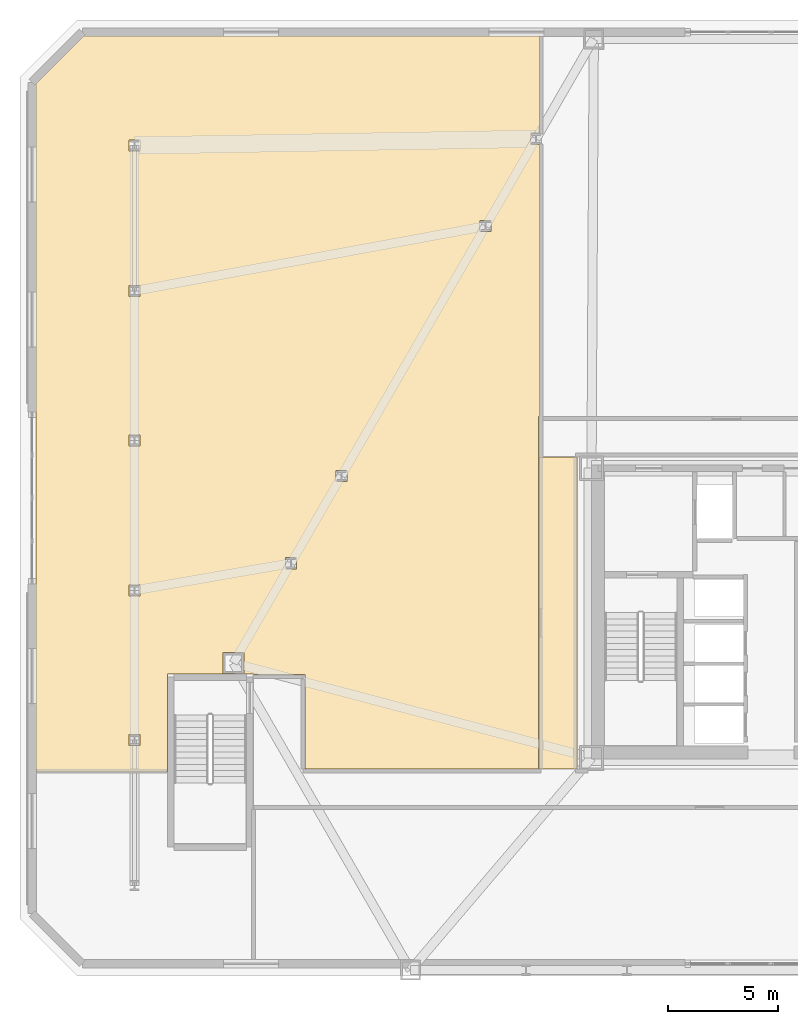
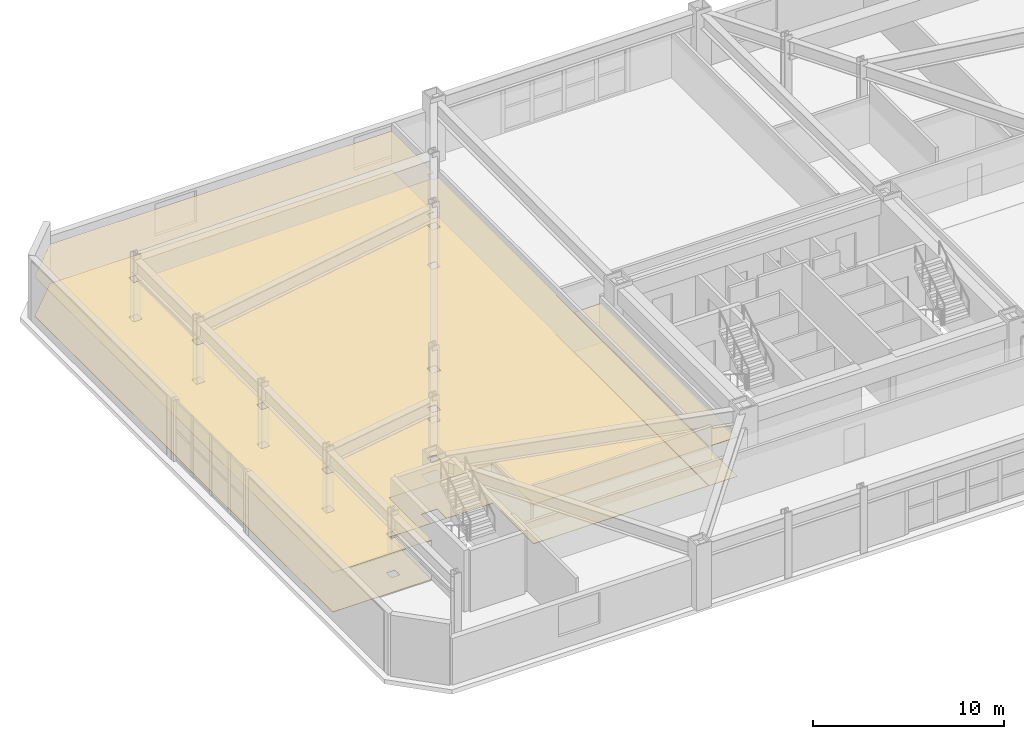
# One storey, part 20 of 22: 4 coverings.
"""IFC4 building model written with IfcOpenShell, lengths in metres."""

from ifc_helpers import new_model, si_unit, direction, frame, origin, place, context, subcontext, project, spatial, polyline, outline, extrude, material, layer, layer_set, type_object, element, save


model = new_model("IFC4")

# Units and contexts
model_context = context("Model", 3, precision=1e-05, world=origin(), true_north=direction((0.0, 1.0)))
body_context = subcontext(model_context, "Body", "Model", "MODEL_VIEW")
ifc_project = project(units=[si_unit("LENGTHUNIT", "METRE"), si_unit("AREAUNIT", "SQUARE_METRE"), si_unit("VOLUMEUNIT", "CUBIC_METRE"), si_unit("PLANEANGLEUNIT", "RADIAN"), si_unit("MASSUNIT", "GRAM", prefix="KILO")], contexts=[model_context])

# Site, building, storey
site_placement = place(None, origin())
site = spatial("IfcSite", under=ifc_project, at=site_placement, CompositionType="ELEMENT")
building_placement = place(site_placement, origin())
building = spatial("IfcBuilding", under=site, at=building_placement, Name="Oramaril Tower", CompositionType="ELEMENT")
storey_placement = place(building_placement, frame((0.0, 0.0, 14.10009765625)))
storey = spatial("IfcBuildingStorey", under=building, at=storey_placement, Name="L03", CompositionType="ELEMENT", Elevation=14.10009765625)

# Coverings
ifc_material_1 = material(Name="Mineral Fibre Acoustic Ceiling")
ifc_layer_1 = layer(ifc_material_1, 0.02001953125)
ifc_layer_set_1 = layer_set([ifc_layer_1], Name="CVT-CEIL")
covering_type_1 = type_object("IfcCoveringType", Name="CVT-CEIL", PredefinedType="CEILING", material=ifc_layer_set_1)
covering_1_placement = place(storey_placement, frame((0.0, 0.0, 2.52197265625)))
element("IfcCovering", 1, at=covering_1_placement, inside=storey, type_object=covering_type_1, Name="L03 Acoustic Suspended Ceiling 3", PredefinedType="CEILING", context=body_context, shape_type="SweptSolid", body=[
    extrude(outline(polyline([(28.699951171875, 10.5), (26.969970703125, 10.5), (26.969970703125, 24.64990234375), (28.699951171875, 24.64990234375), (28.699951171875, 10.5)])), origin(), (0.0, 0.0, 1.0), 0.02001953125),
])
covering_2_placement = place(storey_placement, frame((0.0, 0.0, 2.52197265625)))
element("IfcCovering", 2, at=covering_2_placement, inside=storey, type_object=covering_type_1, Name="L03 Acoustic Suspended Ceiling 8", PredefinedType="CEILING", context=body_context, shape_type="SweptSolid", body=[
    extrude(outline(polyline([(14.0, 14.800048828125), (10.10009765625, 14.800048828125), (10.10009765625, 10.35791015625), (4.117919921875, 10.35791015625), (4.117919921875, 41.6025390625), (6.29736328125, 43.781982421875), (26.988037109375, 43.781982421875), (26.988037109375, 39.358154296875), (26.581298828125, 39.358154296875), (26.581298828125, 38.85302734375), (26.988037109375, 38.85302734375), (26.988037109375, 26.5), (26.969970703125, 26.5), (26.968017578125, 26.5), (26.966064453125, 26.49951171875), (26.964111328125, 26.4990234375), (26.96240234375, 26.49853515625), (26.960693359375, 26.49755859375), (26.958984375, 26.49658203125), (26.957275390625, 26.49560546875), (26.955810546875, 26.494140625), (26.95458984375, 26.49267578125), (26.953369140625, 26.4912109375), (26.952392578125, 26.489501953125), (26.951416015625, 26.48779296875), (26.950927734375, 26.48583984375), (26.950439453125, 26.48388671875), (26.9501953125, 26.48193359375), (26.949951171875, 26.47998046875), (26.949951171875, 24.669921875), (26.9501953125, 24.66796875), (26.950439453125, 24.666015625), (26.950927734375, 24.664306640625), (26.951416015625, 24.662353515625), (26.952392578125, 24.66064453125), (26.95263671875, 24.659912109375), (26.952392578125, 24.659423828125), (26.951416015625, 24.65771484375), (26.950927734375, 24.65576171875), (26.950439453125, 24.65380859375), (26.9501953125, 24.652099609375), (26.949951171875, 24.64990234375), (26.949951171875, 10.5), (16.35009765625, 10.5), (16.35009765625, 14.760009765625), (16.349853515625, 14.761962890625), (16.349609375, 14.763916015625), (16.34912109375, 14.765869140625), (16.348388671875, 14.767578125), (16.34765625, 14.769287109375), (16.3466796875, 14.77099609375), (16.345458984375, 14.772705078125), (16.343994140625, 14.774169921875), (16.3427734375, 14.775390625), (16.341064453125, 14.776611328125), (16.33935546875, 14.777587890625), (16.337646484375, 14.778564453125), (16.335693359375, 14.779052734375), (16.333984375, 14.779541015625), (16.33203125, 14.77978515625), (16.330078125, 14.780029296875), (14.0, 14.780029296875), (14.0, 14.800048828125)]), holes=[polyline([(8.8525390625, 12.052490234375), (8.347412109375, 12.052490234375), (8.347412109375, 11.547607421875), (8.8525390625, 11.547607421875), (8.8525390625, 12.052490234375)]), polyline([(13.559814453125, 15.77001953125), (12.61962890625, 15.77001953125), (12.61962890625, 14.830078125), (13.559814453125, 14.830078125), (13.559814453125, 15.77001953125)]), polyline([(8.8525390625, 18.8525390625), (8.347412109375, 18.8525390625), (8.347412109375, 18.347412109375), (8.8525390625, 18.347412109375), (8.8525390625, 18.8525390625)]), polyline([(15.960205078125, 19.581787109375), (15.960205078125, 20.0869140625), (15.455078125, 20.0869140625), (15.455078125, 19.581787109375), (15.960205078125, 19.581787109375)]), polyline([(18.250732421875, 23.549560546875), (18.250732421875, 24.054443359375), (17.745849609375, 24.054443359375), (17.745849609375, 23.549560546875), (18.250732421875, 23.549560546875)]), polyline([(8.8525390625, 25.652587890625), (8.347412109375, 25.652587890625), (8.347412109375, 25.1474609375), (8.8525390625, 25.1474609375), (8.8525390625, 25.652587890625)]), polyline([(8.8525390625, 32.452392578125), (8.347412109375, 32.452392578125), (8.347412109375, 31.947509765625), (8.8525390625, 31.947509765625), (8.8525390625, 32.452392578125)]), polyline([(24.795654296875, 35.390380859375), (24.290771484375, 35.390380859375), (24.290771484375, 34.885498046875), (24.795654296875, 34.885498046875), (24.795654296875, 35.390380859375)]), polyline([(8.8525390625, 38.547607421875), (8.8525390625, 39.052490234375), (8.347412109375, 39.052490234375), (8.347412109375, 38.547607421875), (8.8525390625, 38.547607421875)])]), origin(), (0.0, 0.0, 1.0), 0.02001953125),
])
ifc_material_2 = material(Name="Honed Quartzite Stone Flooring", Category="masonry")
ifc_layer_2 = layer(ifc_material_2, 0.02490234375)
ifc_layer_set_2 = layer_set([ifc_layer_2], Name="CVT-FLR")
covering_type_2 = type_object("IfcCoveringType", Name="CVT-FLR", PredefinedType="FLOORING", material=ifc_layer_set_2)
covering_3_placement = place(storey_placement, origin())
element("IfcCovering", 3, at=covering_3_placement, inside=storey, type_object=covering_type_2, Name="L03 Honed Stone Floor Finish 3", PredefinedType="FLOORING", context=body_context, shape_type="SweptSolid", body=[
    extrude(outline(polyline([(28.699951171875, 10.5), (26.969970703125, 10.5), (26.969970703125, 24.64990234375), (28.699951171875, 24.64990234375), (28.699951171875, 10.5)])), origin(), (0.0, 0.0, 1.0), 0.02490234375),
])
covering_4_placement = place(storey_placement, origin())
element("IfcCovering", 4, at=covering_4_placement, inside=storey, type_object=covering_type_2, Name="L03 Honed Stone Floor Finish 8", PredefinedType="FLOORING", context=body_context, shape_type="SweptSolid", body=[
    extrude(outline(polyline([(14.0, 14.800048828125), (10.10009765625, 14.800048828125), (10.10009765625, 10.35791015625), (4.117919921875, 10.35791015625), (4.117919921875, 41.6025390625), (6.29736328125, 43.781982421875), (26.988037109375, 43.781982421875), (26.988037109375, 39.358154296875), (26.581298828125, 39.358154296875), (26.581298828125, 38.85302734375), (26.988037109375, 38.85302734375), (26.988037109375, 26.5), (26.969970703125, 26.5), (26.968017578125, 26.5), (26.966064453125, 26.49951171875), (26.964111328125, 26.4990234375), (26.96240234375, 26.49853515625), (26.960693359375, 26.49755859375), (26.958984375, 26.49658203125), (26.957275390625, 26.49560546875), (26.955810546875, 26.494140625), (26.95458984375, 26.49267578125), (26.953369140625, 26.4912109375), (26.952392578125, 26.489501953125), (26.951416015625, 26.48779296875), (26.950927734375, 26.48583984375), (26.950439453125, 26.48388671875), (26.9501953125, 26.48193359375), (26.949951171875, 26.47998046875), (26.949951171875, 24.669921875), (26.9501953125, 24.66796875), (26.950439453125, 24.666015625), (26.950927734375, 24.664306640625), (26.951416015625, 24.662353515625), (26.952392578125, 24.66064453125), (26.95263671875, 24.659912109375), (26.952392578125, 24.659423828125), (26.951416015625, 24.65771484375), (26.950927734375, 24.65576171875), (26.950439453125, 24.65380859375), (26.9501953125, 24.652099609375), (26.949951171875, 24.64990234375), (26.949951171875, 10.5), (16.35009765625, 10.5), (16.35009765625, 14.760009765625), (16.349853515625, 14.761962890625), (16.349609375, 14.763916015625), (16.34912109375, 14.765869140625), (16.348388671875, 14.767578125), (16.34765625, 14.769287109375), (16.3466796875, 14.77099609375), (16.345458984375, 14.772705078125), (16.343994140625, 14.774169921875), (16.3427734375, 14.775390625), (16.341064453125, 14.776611328125), (16.33935546875, 14.777587890625), (16.337646484375, 14.778564453125), (16.335693359375, 14.779052734375), (16.333984375, 14.779541015625), (16.33203125, 14.77978515625), (16.330078125, 14.780029296875), (14.0, 14.780029296875), (14.0, 14.800048828125)]), holes=[polyline([(8.8525390625, 12.052490234375), (8.347412109375, 12.052490234375), (8.347412109375, 11.547607421875), (8.8525390625, 11.547607421875), (8.8525390625, 12.052490234375)]), polyline([(13.559814453125, 15.77001953125), (12.61962890625, 15.77001953125), (12.61962890625, 14.830078125), (13.559814453125, 14.830078125), (13.559814453125, 15.77001953125)]), polyline([(8.8525390625, 18.8525390625), (8.347412109375, 18.8525390625), (8.347412109375, 18.347412109375), (8.8525390625, 18.347412109375), (8.8525390625, 18.8525390625)]), polyline([(15.960205078125, 19.581787109375), (15.960205078125, 20.0869140625), (15.455078125, 20.0869140625), (15.455078125, 19.581787109375), (15.960205078125, 19.581787109375)]), polyline([(18.250732421875, 23.549560546875), (18.250732421875, 24.054443359375), (17.745849609375, 24.054443359375), (17.745849609375, 23.549560546875), (18.250732421875, 23.549560546875)]), polyline([(8.8525390625, 25.652587890625), (8.347412109375, 25.652587890625), (8.347412109375, 25.1474609375), (8.8525390625, 25.1474609375), (8.8525390625, 25.652587890625)]), polyline([(8.8525390625, 32.452392578125), (8.347412109375, 32.452392578125), (8.347412109375, 31.947509765625), (8.8525390625, 31.947509765625), (8.8525390625, 32.452392578125)]), polyline([(24.795654296875, 35.390380859375), (24.290771484375, 35.390380859375), (24.290771484375, 34.885498046875), (24.795654296875, 34.885498046875), (24.795654296875, 35.390380859375)]), polyline([(8.8525390625, 38.547607421875), (8.8525390625, 39.052490234375), (8.347412109375, 39.052490234375), (8.347412109375, 38.547607421875), (8.8525390625, 38.547607421875)])]), origin(), (0.0, 0.0, 1.0), 0.02490234375),
])

save(model, "model.ifc")
